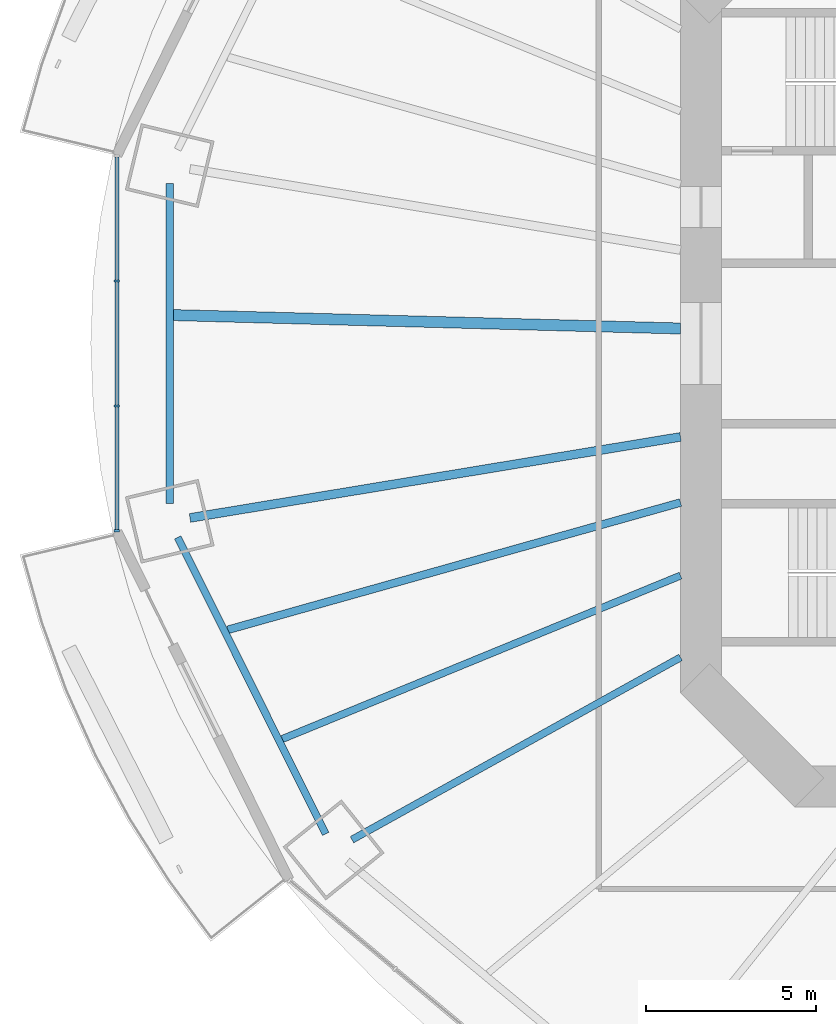
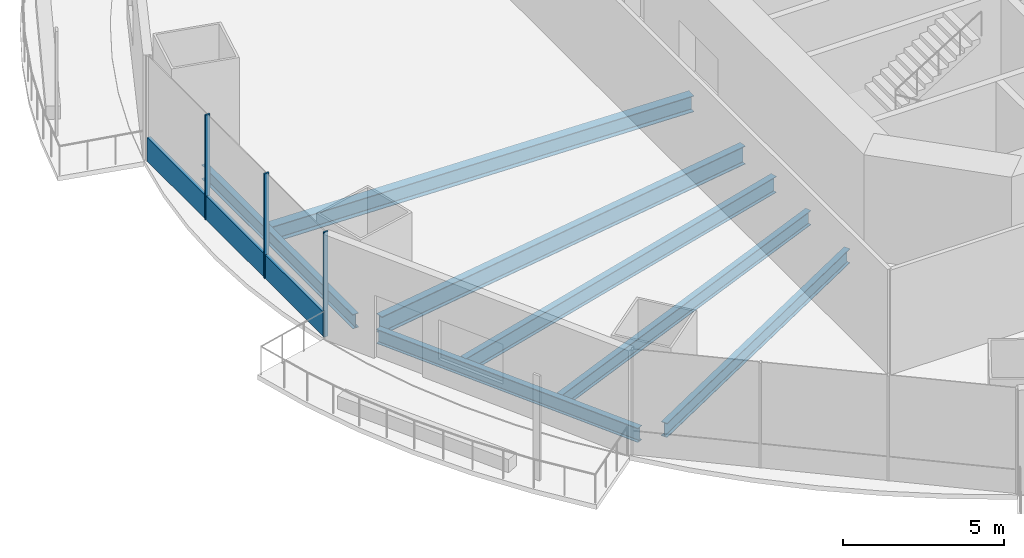
# One storey, part 3 of 21: 7 beams, 4 members, 1 element without a shape of its own.
"""IFC4 building model written with IfcOpenShell, lengths in metres."""

from ifc_helpers import new_model, si_unit, direction, frame, origin, origin_2d, place, context, subcontext, project, spatial, rectangle, i_section, extrude, material, material_profile, profile_set, type_object, element, aggregate, save


model = new_model("IFC4")

# Units and contexts
model_context = context("Model", 3, precision=1e-05, world=origin(), true_north=direction((0.0, 1.0)))
body_context = subcontext(model_context, "Body", "Model", "MODEL_VIEW")
ifc_project = project(units=[si_unit("LENGTHUNIT", "METRE"), si_unit("AREAUNIT", "SQUARE_METRE"), si_unit("VOLUMEUNIT", "CUBIC_METRE"), si_unit("PLANEANGLEUNIT", "RADIAN"), si_unit("MASSUNIT", "GRAM", prefix="KILO")], contexts=[model_context])

# Site, building, storey
site_placement = place(None, origin())
site = spatial("IfcSite", under=ifc_project, at=site_placement, CompositionType="ELEMENT")
building_placement = place(site_placement, origin())
building = spatial("IfcBuilding", under=site, at=building_placement, Name="Marenthal Gate Tower", CompositionType="ELEMENT")
storey_placement = place(building_placement, frame((0.0, 0.0, 120.14990234375)))
storey = spatial("IfcBuildingStorey", under=building, at=storey_placement, Name="L25", CompositionType="ELEMENT", Elevation=120.14990234375)

# Curtain wall, members
ifc_material_1 = material(Name="Aluminium and glass", Category="aluminium")
curtain_wall_type = type_object("IfcCurtainWallType", Name="Curtain wall typical low", PredefinedType="NOTDEFINED", material=ifc_material_1)
curtain_wall_placement = place(storey_placement, origin())
curtain_wall = element("IfcCurtainWall", 1, at=curtain_wall_placement, inside=storey, type_object=curtain_wall_type, Name="Curtain wall L25 bay 8", PredefinedType="NOTDEFINED")
ifc_material_2 = material(Name="Aluminium", Category="aluminium")
ifc_material_profile_1 = material_profile(ifc_material_2, rectangle(XDim=0.159912109375, YDim=0.06005859375, at=origin_2d()), Name="60x160 aluminium mullion")
ifc_profile_set_1 = profile_set([ifc_material_profile_1], Name="Aluminium")
member_type_1 = type_object("IfcMemberType", Name="Mullion 60x160 typical low", PredefinedType="MULLION", material=ifc_profile_set_1)
member_1_placement = place(storey_placement, frame((-33.134765625, 1.831787109375, 0.0), z_axis=(0.0, 0.0, 1.0), x_axis=(1.0, 0.0, 0.0)))
member_1 = element("IfcMember", 2, at=member_1_placement, type_object=member_type_1, Name="Mullion L25 bay 8.2", PredefinedType="MULLION", context=body_context, shape_type="SweptSolid", body=[
    extrude(rectangle(XDim=0.159912109375, YDim=0.06005859375, at=origin_2d()), origin(), (0.0, 0.0, 1.0), 3.97021484375),
])
member_2_placement = place(storey_placement, frame((-33.134765625, -1.831787109375, 0.0), z_axis=(0.0, 0.0, 1.0), x_axis=(1.0, 0.0, 0.0)))
member_2 = element("IfcMember", 3, at=member_2_placement, type_object=member_type_1, Name="Mullion L25 bay 8.3", PredefinedType="MULLION", context=body_context, shape_type="SweptSolid", body=[
    extrude(rectangle(XDim=0.159912109375, YDim=0.06005859375, at=origin_2d()), origin(), (0.0, 0.0, 1.0), 3.97021484375),
])
member_3_placement = place(storey_placement, frame((-33.134765625, -5.495361328125, 0.0), z_axis=(0.0, 0.0, 1.0), x_axis=(1.0, 0.0, 0.0)))
member_3 = element("IfcMember", 4, at=member_3_placement, type_object=member_type_1, Name="Mullion L25 bay 8.4", PredefinedType="MULLION", context=body_context, shape_type="SweptSolid", body=[
    extrude(rectangle(XDim=0.159912109375, YDim=0.06005859375, at=origin_2d()), origin(), (0.0, 0.0, 1.0), 3.97021484375),
])
ifc_material_3 = material(Name="Aluminium", Category="aluminium")
ifc_material_profile_2 = material_profile(ifc_material_3, rectangle(XDim=0.1201171875, YDim=0.89990234375, at=origin_2d()), Name="120x900 aluminium transom")
ifc_profile_set_2 = profile_set([ifc_material_profile_2], Name="Aluminium")
member_type_2 = type_object("IfcMemberType", Name="Transom 120x900 typical low", PredefinedType="USERDEFINED", material=ifc_profile_set_2)
member_4_placement = place(storey_placement, frame((-33.134765625, 5.46533203125, 0.4501953125), z_axis=(0.0, -1.0, 0.0), x_axis=(1.0, 0.0, 0.0)))
member_4 = element("IfcMember", 5, at=member_4_placement, type_object=member_type_2, Name="Transom L25 bay 8", ObjectType="TRANSOM", PredefinedType="USERDEFINED", context=body_context, shape_type="SweptSolid", body=[
    extrude(rectangle(XDim=0.1201171875, YDim=0.89990234375, at=origin_2d()), origin(), (0.0, 0.0, 1.0), 10.9306640625),
])
aggregate(curtain_wall, [member_1, member_2, member_3, member_4])

# Beams
ifc_material_4 = material(Name="Steel S355", Category="steel")
ifc_material_profile_3 = material_profile(ifc_material_4, i_section(OverallWidth=0.2119140625, OverallDepth=0.5439453125, WebThickness=0.01318359375, FlangeThickness=0.021240234375, FilletRadius=0.0126953125, at=origin_2d()), Name="W530X123")
ifc_profile_set_3 = profile_set([ifc_material_profile_3], Name="Steel S355")
beam_type_1 = type_object("IfcBeamType", Name="W530X123 beam", PredefinedType="BEAM", material=ifc_profile_set_3)
beam_1_placement = place(storey_placement, frame((-26.23779296875, -14.55810546875, -0.451904296875), z_axis=(0.874421492378, 0.485167036872, 0.0), x_axis=(-0.485167036872, 0.874421492378, 0.0)))
element("IfcBeam", 6, at=beam_1_placement, inside=storey, type_object=beam_type_1, Name="BM-L25-10", PredefinedType="BEAM", context=body_context, shape_type="SweptSolid", body=[
    extrude(i_section(OverallWidth=0.2119140625, OverallDepth=0.5439453125, WebThickness=0.01318359375, FlangeThickness=0.021240234375, FilletRadius=0.0126953125, at=origin_2d()), origin(), (0.0, 0.0, 1.0), 11.021728515625),
])
beam_2_placement = place(storey_placement, frame((-28.281005859375, -11.603515625, -0.451904296875), z_axis=(0.925153122317, 0.379594125702, 0.0), x_axis=(-0.379594125702, 0.925153122317, 0.0)))
element("IfcBeam", 7, at=beam_2_placement, inside=storey, type_object=beam_type_1, Name="BM-L25-30", PredefinedType="BEAM", context=body_context, shape_type="SweptSolid", body=[
    extrude(i_section(OverallWidth=0.2119140625, OverallDepth=0.5439453125, WebThickness=0.01318359375, FlangeThickness=0.021240234375, FilletRadius=0.0126953125, at=origin_2d()), origin(), (0.0, 0.0, 1.0), 12.6259765625),
])
beam_3_placement = place(storey_placement, frame((-31.585205078125, 4.688720703125, -0.451904296875), z_axis=(0.0, -1.0, 0.0), x_axis=(1.0, 0.0, 0.0)))
element("IfcBeam", 8, at=beam_3_placement, inside=storey, type_object=beam_type_1, Name="BM-L25-48", PredefinedType="BEAM", context=body_context, shape_type="SweptSolid", body=[
    extrude(i_section(OverallWidth=0.2119140625, OverallDepth=0.5439453125, WebThickness=0.01318359375, FlangeThickness=0.021240234375, FilletRadius=0.0126953125, at=origin_2d()), origin(), (0.0, 0.0, 1.0), 9.37744140625),
])
beam_4_placement = place(storey_placement, frame((-31.35009765625, -5.688232421875, -0.451904296875), z_axis=(0.446359643577, -0.894853657637, 0.0), x_axis=(0.894853657637, 0.446359643577, 0.0)))
element("IfcBeam", 9, at=beam_4_placement, inside=storey, type_object=beam_type_1, Name="BM-L25-49", PredefinedType="BEAM", context=body_context, shape_type="SweptSolid", body=[
    extrude(i_section(OverallWidth=0.2119140625, OverallDepth=0.5439453125, WebThickness=0.01318359375, FlangeThickness=0.021240234375, FilletRadius=0.0126953125, at=origin_2d()), origin(), (0.0, 0.0, 1.0), 9.72265625),
])
ifc_material_5 = material(Name="Steel S355", Category="steel")
ifc_material_profile_4 = material_profile(ifc_material_5, i_section(OverallWidth=0.22900390625, OverallDepth=0.612060546875, WebThickness=0.011962890625, FlangeThickness=0.01953125, FilletRadius=0.0126953125, at=origin_2d()), Name="W610X125")
ifc_profile_set_4 = profile_set([ifc_material_profile_4], Name="Steel S355")
beam_type_2 = type_object("IfcBeamType", Name="W610X125 beam", PredefinedType="BEAM", material=ifc_profile_set_4)
beam_5_placement = place(storey_placement, frame((-29.87841796875, -8.401123046875, -0.48583984375), z_axis=(0.962667661215, 0.270686117213, 0.0), x_axis=(-0.270686117213, 0.962667661215, 0.0)))
element("IfcBeam", 10, at=beam_5_placement, inside=storey, type_object=beam_type_2, Name="BM-L25-29", PredefinedType="BEAM", context=body_context, shape_type="SweptSolid", body=[
    extrude(i_section(OverallWidth=0.22900390625, OverallDepth=0.612060546875, WebThickness=0.011962890625, FlangeThickness=0.01953125, FilletRadius=0.0126953125, at=origin_2d()), origin(), (0.0, 0.0, 1.0), 13.793212890625),
])
ifc_material_6 = material(Name="Steel S355", Category="steel")
ifc_material_profile_5 = material_profile(ifc_material_6, i_section(OverallWidth=0.324951171875, OverallDepth=0.612060546875, WebThickness=0.0126953125, FlangeThickness=0.01904296875, FilletRadius=0.0126953125, at=origin_2d()), Name="W610X155")
ifc_profile_set_5 = profile_set([ifc_material_profile_5], Name="Steel S355")
beam_type_3 = type_object("IfcBeamType", Name="W610X155 beam", PredefinedType="BEAM", material=ifc_profile_set_5)
beam_6_placement = place(storey_placement, frame((-31.479248046875, 0.831787109375, -0.48583984375), z_axis=(0.999651246677, -0.026408048358, 0.0), x_axis=(0.026408048358, 0.999651246677, 0.0)))
element("IfcBeam", 11, at=beam_6_placement, inside=storey, type_object=beam_type_3, Name="BM-L25-28", PredefinedType="BEAM", context=body_context, shape_type="SweptSolid", body=[
    extrude(i_section(OverallWidth=0.324951171875, OverallDepth=0.612060546875, WebThickness=0.0126953125, FlangeThickness=0.01904296875, FilletRadius=0.0126953125, at=origin_2d()), origin(), (0.0, 0.0, 1.0), 14.88427734375),
])
ifc_material_7 = material(Name="Steel S355", Category="steel")
ifc_material_profile_6 = material_profile(ifc_material_7, i_section(OverallWidth=0.257080078125, OverallDepth=0.693115234375, WebThickness=0.014404296875, FlangeThickness=0.023681640625, FilletRadius=0.015380859375, at=origin_2d()), Name="W690X170")
ifc_profile_set_6 = profile_set([ifc_material_profile_6], Name="Steel S355")
beam_type_4 = type_object("IfcBeamType", Name="W690X170 beam", PredefinedType="BEAM", material=ifc_profile_set_6)
beam_7_placement = place(storey_placement, frame((-30.990478515625, -5.118896484375, -0.5263671875), z_axis=(0.986631300462, 0.162968331122, 0.0), x_axis=(-0.162968331122, 0.986631300462, 0.0)))
element("IfcBeam", 12, at=beam_7_placement, inside=storey, type_object=beam_type_4, Name="BM-L25-09", PredefinedType="BEAM", context=body_context, shape_type="SweptSolid", body=[
    extrude(i_section(OverallWidth=0.257080078125, OverallDepth=0.693115234375, WebThickness=0.014404296875, FlangeThickness=0.023681640625, FilletRadius=0.015380859375, at=origin_2d()), origin(), (0.0, 0.0, 1.0), 14.58544921875),
])

save(model, "model.ifc")
